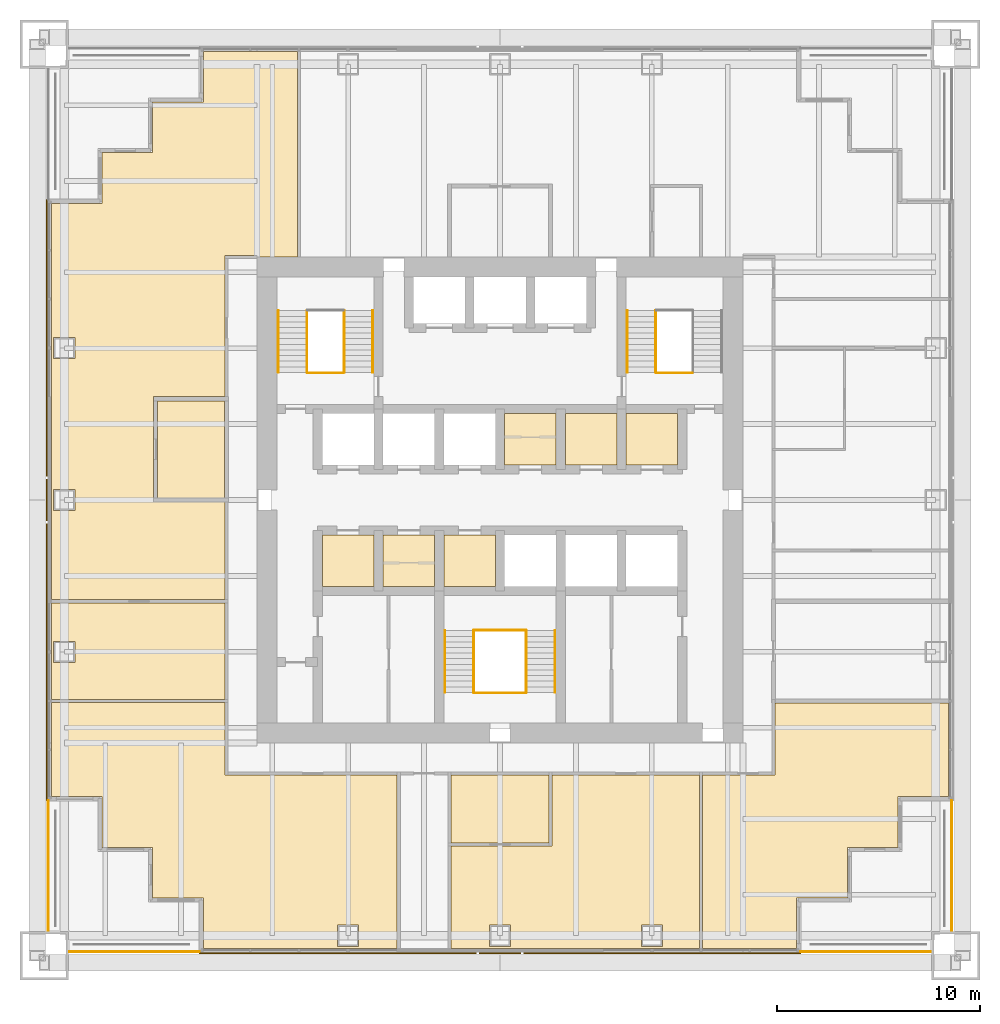
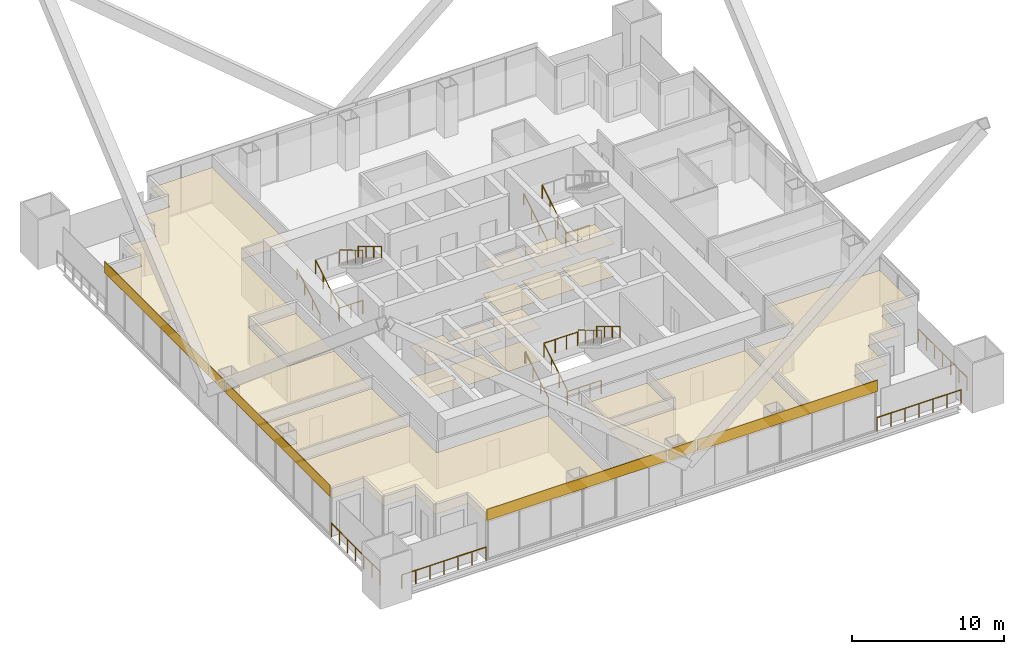
# One storey, part 18 of 19: 25 coverings, 18 railings.
"""IFC4 building model written with IfcOpenShell, lengths in metres."""

import ifcopenshell
import ifcopenshell.guid

model = None  # the IFC model being written
_history = None  # IfcOwnerHistory: only IFC2X3 demands one
_inside = {}  # id of a spatial element -> (the spatial element, [elements in it])
_under = {}  # id of a project, library or spatial element -> (it, [spatial elements below it])
_declared = {}  # id of a project -> (the project, [libraries it declares])
_typed = {}  # id of a type object -> (the type object, [elements of that type])
_made_of = {}  # id of a material, layer set ... -> (it, [elements and type objects made of it])


def new_model(schema):
    """Start an empty IFC model of exactly this schema.

    Asked for "IFC4X3", IfcOpenShell would pick the latest addendum, in which some entities
    have other attributes; the version numbers below select the first issue.
    IFC2X3 requires an IfcOwnerHistory on every rooted entity: one is made here for all.
    """
    global model, _history
    if schema == "IFC4X3":
        model = ifcopenshell.file(schema_version=(4, 3, 0, 0))
    else:
        model = ifcopenshell.file(schema=schema)
    _inside.clear()
    _under.clear()
    _declared.clear()
    _typed.clear()
    _made_of.clear()
    _history = None
    if model.schema == "IFC2X3":
        org = make("IfcOrganization", Name="unknown")
        user = make(
            "IfcPersonAndOrganization",
            ThePerson=make("IfcPerson", FamilyName="unknown"),
            TheOrganization=org,
        )
        app = make(
            "IfcApplication",
            ApplicationDeveloper=org,
            Version="unknown",
            ApplicationFullName="unknown",
            ApplicationIdentifier="unknown",
        )
        _history = make(
            "IfcOwnerHistory",
            OwningUser=user,
            OwningApplication=app,
            ChangeAction="ADDED",
            CreationDate=0,
        )
    return model


def make(cls, **values):
    """One entity of the class cls with the attributes given. An attribute that is None is left unset."""
    return model.create_entity(
        cls, **{name: value for name, value in values.items() if value is not None}
    )


def rooted(cls, **values):
    """An entity with a GlobalId (a new one), such as an element, a storey or a relation."""
    return make(cls, GlobalId=ifcopenshell.guid.new(), OwnerHistory=_history, **values)


def si_unit(unit_type, name, prefix=None):
    """IfcSIUnit, for example si_unit("LENGTHUNIT", "METRE", prefix="MILLI")."""
    return make("IfcSIUnit", UnitType=unit_type, Prefix=prefix, Name=name)


def assignment(units):
    """IfcUnitAssignment: the units of a project."""
    return None if units is None else make("IfcUnitAssignment", Units=units)


def point(xyz):
    """IfcCartesianPoint."""
    return None if xyz is None else make("IfcCartesianPoint", Coordinates=xyz)


def direction(xyz):
    """IfcDirection."""
    return None if xyz is None else make("IfcDirection", DirectionRatios=xyz)


def frame(location, z_axis=None, x_axis=None):
    """IfcAxis2Placement3D, a coordinate frame: its origin and axes. An axis left out is left unset."""
    return make(
        "IfcAxis2Placement3D",
        Location=point(location),
        Axis=direction(z_axis),
        RefDirection=direction(x_axis),
    )


def frame_2d(location, x_axis=None):
    """IfcAxis2Placement2D, a coordinate frame in the plane: its origin and x axis."""
    return make(
        "IfcAxis2Placement2D", Location=point(location), RefDirection=direction(x_axis)
    )


def origin():
    """The frame at (0, 0, 0) with its axes left unset."""
    return frame((0.0, 0.0, 0.0))


def origin_2d():
    """The frame at (0, 0) in the plane with its x axis left unset."""
    return frame_2d((0.0, 0.0))


def place(relative_to, where):
    """IfcLocalPlacement: puts the frame where relative to a parent placement (None: the world)."""
    return make(
        "IfcLocalPlacement", PlacementRelTo=relative_to, RelativePlacement=where
    )


def context(
    kind, dimensions, precision=None, world=None, true_north=None, identifier=None
):
    """IfcGeometricRepresentationContext, for example the 3D "Model" context."""
    return make(
        "IfcGeometricRepresentationContext",
        ContextIdentifier=identifier,
        ContextType=kind,
        CoordinateSpaceDimension=dimensions,
        Precision=precision,
        WorldCoordinateSystem=world,
        TrueNorth=true_north,
    )


def subcontext(parent, identifier, kind, view, scale=None):
    """IfcGeometricRepresentationSubContext, for example "Body" below "Model"."""
    return make(
        "IfcGeometricRepresentationSubContext",
        ContextIdentifier=identifier,
        ContextType=kind,
        ParentContext=parent,
        TargetScale=scale,
        TargetView=view,
    )


def project(units=None, contexts=None):
    """IfcProject with its units and contexts."""
    return rooted(
        "IfcProject",
        Name="project",
        RepresentationContexts=contexts,
        UnitsInContext=assignment(units),
    )


def spatial(cls, under=None, at=None, **own):
    """A site, building, storey or space (cls), placed at a placement, below another one or the project."""
    s = rooted(cls, ObjectPlacement=at, **own)
    if under is not None:
        _under.setdefault(under.id(), (under, []))[1].append(s)
    return s


def polyline(points):
    """IfcPolyline through the points."""
    return make("IfcPolyline", Points=[point(p) for p in points])


def profile(cls, at=None, kind="AREA", **sizes):
    """A parametric profile (cls). Its sizes go by their IFC names, for example OverallWidth=200.0."""
    return make(cls, ProfileType=kind, Position=at, **sizes)


def rectangle(**sizes):
    """IfcRectangleProfileDef."""
    return profile("IfcRectangleProfileDef", **sizes)


def circle(**sizes):
    """IfcCircleProfileDef."""
    return profile("IfcCircleProfileDef", **sizes)


def outline(outer, holes=None, kind="AREA"):
    """IfcArbitraryClosedProfileDef: a profile drawn as a closed curve; with holes, ...WithVoids."""
    if holes is None:
        return make("IfcArbitraryClosedProfileDef", ProfileType=kind, OuterCurve=outer)
    return make(
        "IfcArbitraryProfileDefWithVoids",
        ProfileType=kind,
        OuterCurve=outer,
        InnerCurves=holes,
    )


def extrude(swept, where, along, depth):
    """IfcExtrudedAreaSolid: the profile swept, set in the frame where, extruded along a direction by depth."""
    return make(
        "IfcExtrudedAreaSolid",
        SweptArea=swept,
        Position=where,
        ExtrudedDirection=direction(along),
        Depth=depth,
    )


def shape(context_of_items, identifier, shape_type, items):
    """IfcShapeRepresentation: the items that make up one representation, for example the "Body"."""
    return make(
        "IfcShapeRepresentation",
        ContextOfItems=context_of_items,
        RepresentationIdentifier=identifier,
        RepresentationType=shape_type,
        Items=items,
    )


def material(Name=None, Category=None):
    """IfcMaterial."""
    return make("IfcMaterial", Name=Name, Category=Category)


def layer(
    of_material, thickness, ventilated=None, Name=None, Category=None, Priority=None
):
    """IfcMaterialLayer: one layer of a wall or slab, of a material (None: an air gap)."""
    return make(
        "IfcMaterialLayer",
        Material=of_material,
        LayerThickness=thickness,
        IsVentilated=ventilated,
        Name=Name,
        Category=Category,
        Priority=Priority,
    )


def layer_set(layers, Name=None):
    """IfcMaterialLayerSet."""
    return make("IfcMaterialLayerSet", MaterialLayers=layers, LayerSetName=Name)


def made_of(thing, what):
    """Note that an element or type object is made of a material, layer set ...; save() writes the relation."""
    if what is not None:
        _made_of.setdefault(what.id(), (what, []))[1].append(thing)
    return thing


def type_object(cls, material=None, **own):
    """A type object (cls), such as IfcWallType, which elements share."""
    return made_of(rooted(cls, **own), material)


def element(
    cls,
    number,
    at=None,
    inside=None,
    cuts=None,
    type_object=None,
    material=None,
    context=None,
    identifier="Body",
    shape_type=None,
    held_by="IfcProductDefinitionShape",
    body=None,
    shapes=None,
    **own,
):
    """One element of the class cls, such as IfcWall. Its Tag is "e" and its number.

    at: its placement. inside: the storey or other place that contains it. cuts: it is an
    opening in that element (IfcRelVoidsElement). A single representation is given by context,
    identifier, shape_type and body (its items); several are given by shapes. held_by: the class
    of the entity that holds the representations. save() writes the other relations.
    """
    e = rooted(cls, Tag="e%d" % number, ObjectPlacement=at, **own)
    if body is not None:
        shapes = [shape(context, identifier, shape_type, body)]
    if shapes is not None:
        e.Representation = make(held_by, Representations=shapes)
    if inside is not None:
        _inside.setdefault(inside.id(), (inside, []))[1].append(e)
    if cuts is not None:
        rooted(
            "IfcRelVoidsElement", RelatingBuildingElement=cuts, RelatedOpeningElement=e
        )
    if type_object is not None:
        _typed.setdefault(type_object.id(), (type_object, []))[1].append(e)
    return made_of(e, material)


def aggregate(whole, parts):
    """IfcRelAggregates: a whole, such as a stair, and the parts it consists of."""
    return rooted("IfcRelAggregates", RelatingObject=whole, RelatedObjects=parts)


def save(model, path):
    """Write the relations noted so far, then the file.

    IfcRelAggregates (storeys below a building ...), IfcRelContainedInSpatialStructure (elements
    in a storey), IfcRelDefinesByType, IfcRelAssociatesMaterial and IfcRelDeclares: one each for
    every whole, place, type object, material and project.
    """
    for whole, parts in _under.values():
        aggregate(whole, parts)
    for where, things in _inside.values():
        rooted(
            "IfcRelContainedInSpatialStructure",
            RelatedElements=things,
            RelatingStructure=where,
        )
    for kind, things in _typed.values():
        rooted("IfcRelDefinesByType", RelatedObjects=things, RelatingType=kind)
    for what, things in _made_of.values():
        rooted("IfcRelAssociatesMaterial", RelatedObjects=things, RelatingMaterial=what)
    for by, libraries in _declared.values():
        rooted("IfcRelDeclares", RelatingContext=by, RelatedDefinitions=libraries)
    model.write(path)


model = new_model("IFC4")

# Units and contexts
model_context = context("Model", 3, precision=1e-05, world=origin(), true_north=direction((0.0, 1.0)))
body_context = subcontext(model_context, "Body", "Model", "MODEL_VIEW")
ifc_project = project(units=[si_unit("LENGTHUNIT", "METRE"), si_unit("AREAUNIT", "SQUARE_METRE"), si_unit("VOLUMEUNIT", "CUBIC_METRE"), si_unit("PLANEANGLEUNIT", "RADIAN"), si_unit("MASSUNIT", "GRAM", prefix="KILO")], contexts=[model_context])

# Site, building, storey
site_placement = place(None, origin())
site = spatial("IfcSite", under=ifc_project, at=site_placement, CompositionType="ELEMENT")
building_placement = place(site_placement, origin())
building = spatial("IfcBuilding", under=site, at=building_placement, Name="Tarangal Relay Tower", CompositionType="ELEMENT")
storey_placement = place(building_placement, frame((0.0, 0.0, 193.89990234375)))
storey = spatial("IfcBuildingStorey", under=building, at=storey_placement, Name="L40", CompositionType="ELEMENT", Elevation=193.89990234375)

# Coverings
ifc_material_1 = material(Name="Anti-static vinyl flooring", Category="plastic")
ifc_layer_1 = layer(ifc_material_1, 0.010009765625)
ifc_layer_set_1 = layer_set([ifc_layer_1], Name="Anti-static vinyl floor")
covering_type_1 = type_object("IfcCoveringType", Name="Anti-static vinyl floor", PredefinedType="FLOORING", material=ifc_layer_set_1)
covering_1_placement = place(storey_placement, origin())
element("IfcCovering", 1, at=covering_1_placement, inside=storey, type_object=covering_type_1, Name="Floor finish FL1 L40-T1", PredefinedType="FLOORING", context=body_context, shape_type="SweptSolid", body=[
    extrude(outline(polyline([(0.22509765625, 1.72509765625), (2.77490234375, 1.72509765625), (2.77490234375, 4.27490234375), (0.22509765625, 4.27490234375), (0.22509765625, 1.72509765625)])), origin(), (0.0, 0.0, 1.0), 0.010009765625),
])
covering_2_placement = place(storey_placement, origin())
element("IfcCovering", 2, at=covering_2_placement, inside=storey, type_object=covering_type_1, Name="Floor finish FL1 L40-T2", PredefinedType="FLOORING", context=body_context, shape_type="SweptSolid", body=[
    extrude(outline(polyline([(3.22509765625, 1.72509765625), (5.77490234375, 1.72509765625), (5.77490234375, 4.27490234375), (3.22509765625, 4.27490234375), (3.22509765625, 1.72509765625)])), origin(), (0.0, 0.0, 1.0), 0.010009765625),
])
covering_3_placement = place(storey_placement, origin())
element("IfcCovering", 3, at=covering_3_placement, inside=storey, type_object=covering_type_1, Name="Floor finish FL1 L40-T3", PredefinedType="FLOORING", context=body_context, shape_type="SweptSolid", body=[
    extrude(outline(polyline([(6.22509765625, 1.72509765625), (8.77490234375, 1.72509765625), (8.77490234375, 4.27490234375), (6.22509765625, 4.27490234375), (6.22509765625, 1.72509765625)])), origin(), (0.0, 0.0, 1.0), 0.010009765625),
])
covering_4_placement = place(storey_placement, origin())
element("IfcCovering", 4, at=covering_4_placement, inside=storey, type_object=covering_type_1, Name="Floor finish FL1 L40-S1", PredefinedType="FLOORING", context=body_context, shape_type="SweptSolid", body=[
    extrude(outline(polyline([(-8.77490234375, -4.27490234375), (-6.22509765625, -4.27490234375), (-6.22509765625, -1.72509765625), (-8.77490234375, -1.72509765625), (-8.77490234375, -4.27490234375)])), origin(), (0.0, 0.0, 1.0), 0.010009765625),
])
covering_5_placement = place(storey_placement, origin())
element("IfcCovering", 5, at=covering_5_placement, inside=storey, type_object=covering_type_1, Name="Floor finish FL1 L40-S2", PredefinedType="FLOORING", context=body_context, shape_type="SweptSolid", body=[
    extrude(outline(polyline([(-5.77490234375, -4.27490234375), (-3.22509765625, -4.27490234375), (-3.22509765625, -1.72509765625), (-5.77490234375, -1.72509765625), (-5.77490234375, -4.27490234375)])), origin(), (0.0, 0.0, 1.0), 0.010009765625),
])
covering_6_placement = place(storey_placement, origin())
element("IfcCovering", 6, at=covering_6_placement, inside=storey, type_object=covering_type_1, Name="Floor finish FL1 L40-S3", PredefinedType="FLOORING", context=body_context, shape_type="SweptSolid", body=[
    extrude(outline(polyline([(-2.77490234375, -4.27490234375), (-0.22509765625, -4.27490234375), (-0.22509765625, -1.72509765625), (-2.77490234375, -1.72509765625), (-2.77490234375, -4.27490234375)])), origin(), (0.0, 0.0, 1.0), 0.010009765625),
])
ifc_material_2 = material(Name="Black anodised aluminium cladding", Category="aluminium")
ifc_layer_2 = layer(ifc_material_2, 0.050048828125)
ifc_layer_set_2 = layer_set([ifc_layer_2], Name="Black metal spandrel band")
covering_type_2 = type_object("IfcCoveringType", Name="Black metal spandrel band", PredefinedType="CLADDING", material=ifc_layer_set_2)
covering_7_placement = place(storey_placement, frame((8.0078125, -22.375, 3.250244140625), z_axis=(0.0, 0.0, 1.0), x_axis=(-1.0, 0.0, 0.0)))
element("IfcCovering", 7, at=covering_7_placement, inside=storey, type_object=covering_type_2, Name="Spandrel band SB1 S L40", PredefinedType="CLADDING", context=body_context, shape_type="SweptSolid", body=[
    extrude(rectangle(XDim=13.6845703125, YDim=0.050048828125, at=origin_2d()), origin(), (0.0, 0.0, 1.0), 0.89990234375),
])
covering_8_placement = place(storey_placement, frame((0.0, -22.375, 3.250244140625), z_axis=(0.0, 0.0, 1.0), x_axis=(-1.0, 0.0, 0.0)))
element("IfcCovering", 8, at=covering_8_placement, inside=storey, type_object=covering_type_2, Name="Spandrel band SB1 S L40", PredefinedType="CLADDING", context=body_context, shape_type="SweptSolid", body=[
    extrude(rectangle(XDim=2.05078125, YDim=0.050048828125, at=origin_2d()), origin(), (0.0, 0.0, 1.0), 0.89990234375),
])
for number, where, z_axis, x_axis, name in (
    (9, (-8.0078125, -22.375, 3.250244140625), (0.0, 0.0, 1.0), (-1.0, 0.0, 0.0), "Spandrel band SB1 S L40"),
    (10, (-22.375, -8.0078125, 3.250244140625), (0.0, 0.0, 1.0), (0.0, 1.0, 0.0), "Spandrel band SB1 W L40"),
):
    element("IfcCovering", number, at=place(storey_placement, frame(where, z_axis=z_axis, x_axis=x_axis)), inside=storey, type_object=covering_type_2, Name=name, PredefinedType="CLADDING", context=body_context, shape_type="SweptSolid", body=[
        extrude(rectangle(XDim=13.6845703125, YDim=0.050048828125, at=origin_2d()), origin(), (0.0, 0.0, 1.0), 0.89990234375),
    ])
covering_9_placement = place(storey_placement, frame((-22.375, 0.0, 3.250244140625), z_axis=(0.0, 0.0, 1.0), x_axis=(0.0, 1.0, 0.0)))
element("IfcCovering", 11, at=covering_9_placement, inside=storey, type_object=covering_type_2, Name="Spandrel band SB1 W L40", PredefinedType="CLADDING", context=body_context, shape_type="SweptSolid", body=[
    extrude(rectangle(XDim=2.05078125, YDim=0.050048828125, at=origin_2d()), origin(), (0.0, 0.0, 1.0), 0.89990234375),
])
covering_10_placement = place(storey_placement, frame((-22.375, 8.0078125, 3.250244140625), z_axis=(0.0, 0.0, 1.0), x_axis=(0.0, 1.0, 0.0)))
element("IfcCovering", 12, at=covering_10_placement, inside=storey, type_object=covering_type_2, Name="Spandrel band SB1 W L40", PredefinedType="CLADDING", context=body_context, shape_type="SweptSolid", body=[
    extrude(rectangle(XDim=13.6845703125, YDim=0.050048828125, at=origin_2d()), origin(), (0.0, 0.0, 1.0), 0.89990234375),
])

# Railings
ifc_material_3 = material(Name="Steel guard, black finish", Category="steel")
railing_type_1 = type_object("IfcRailingType", Name="Stair guard 1100", PredefinedType="GUARDRAIL", material=ifc_material_3)
railing_1_placement = place(storey_placement, frame((-9.530029296875, 6.300048828125, 0.166748046875)))
element("IfcRailing", 13, at=railing_1_placement, inside=storey, type_object=railing_type_1, Name="Stair ST-A guard GR1 L40 flight 1", PredefinedType="GUARDRAIL", context=body_context, shape_type="SweptSolid", body=[
    extrude(circle(Radius=0.02392578125, at=origin_2d()), frame((0.0, 0.0, 1.076171875), z_axis=(0.0, 0.85685617095, 0.515555527858), x_axis=(-1.0, 0.0, 0.0)), (0.0, 0.0, 1.0), 3.555908203125),
    extrude(circle(Radius=0.02099609375, at=origin_2d()), origin(), (0.0, 0.0, 1.0), 1.052001953125),
    extrude(circle(Radius=0.02099609375, at=origin_2d()), frame((0.0, 1.015625, 0.611083984375)), (0.0, 0.0, 1.0), 1.052001953125),
    extrude(circle(Radius=0.02099609375, at=origin_2d()), frame((0.0, 2.03125, 1.22216796875)), (0.0, 0.0, 1.0), 1.052001953125),
    extrude(circle(Radius=0.02099609375, at=origin_2d()), frame((0.0, 3.046875, 1.833251953125)), (0.0, 0.0, 1.0), 1.052001953125),
])
railing_2_placement = place(storey_placement, frame((-7.695068359375, 9.346923828125, 2.166748046875)))
element("IfcRailing", 14, at=railing_2_placement, inside=storey, type_object=railing_type_1, Name="Stair ST-A guard GR1 L40 flight 2", PredefinedType="GUARDRAIL", context=body_context, shape_type="SweptSolid", body=[
    extrude(circle(Radius=0.02392578125, at=origin_2d()), frame((0.0, 0.0, 1.076171875), z_axis=(0.0, -0.85685617095, 0.515555527858), x_axis=(1.0, 0.0, 0.0)), (0.0, 0.0, 1.0), 3.555908203125),
    extrude(circle(Radius=0.02099609375, at=origin_2d()), origin(), (0.0, 0.0, 1.0), 1.052001953125),
    extrude(circle(Radius=0.02099609375, at=origin_2d()), frame((0.0, -1.015625, 0.611083984375)), (0.0, 0.0, 1.0), 1.052001953125),
    extrude(circle(Radius=0.02099609375, at=origin_2d()), frame((0.0, -2.03125, 1.22216796875)), (0.0, 0.0, 1.0), 1.052001953125),
    extrude(circle(Radius=0.02099609375, at=origin_2d()), frame((0.0, -3.046875, 1.833251953125)), (0.0, 0.0, 1.0), 1.052001953125),
])
railing_3_placement = place(storey_placement, frame((-9.5, 6.27001953125, 0.0)))
element("IfcRailing", 15, at=railing_3_placement, inside=storey, type_object=railing_type_1, Name="Stair ST-A landing guard GR1 L40", PredefinedType="GUARDRAIL", context=body_context, shape_type="SweptSolid", body=[
    extrude(circle(Radius=0.02392578125, at=origin_2d()), frame((0.0, 0.0, 1.076171875), z_axis=(1.0, 0.0, 0.0), x_axis=(0.0, 1.0, 0.0)), (0.0, 0.0, 1.0), 1.77490234375),
    extrude(circle(Radius=0.02099609375, at=origin_2d()), origin(), (0.0, 0.0, 1.0), 1.052001953125),
    extrude(circle(Radius=0.02099609375, at=origin_2d()), frame((0.887451171875, 0.0, 0.0)), (0.0, 0.0, 1.0), 1.052001953125),
    extrude(circle(Radius=0.02099609375, at=origin_2d()), frame((1.77490234375, 0.0, 0.0)), (0.0, 0.0, 1.0), 1.052001953125),
])
railing_4_placement = place(storey_placement, frame((7.695068359375, 6.300048828125, 0.166748046875)))
element("IfcRailing", 16, at=railing_4_placement, inside=storey, type_object=railing_type_1, Name="Stair ST-B guard GR1 L40 flight 1", PredefinedType="GUARDRAIL", context=body_context, shape_type="SweptSolid", body=[
    extrude(circle(Radius=0.02392578125, at=origin_2d()), frame((0.0, 0.0, 1.076171875), z_axis=(0.0, 0.85685617095, 0.515555527858), x_axis=(-1.0, 0.0, 0.0)), (0.0, 0.0, 1.0), 3.555908203125),
    extrude(circle(Radius=0.02099609375, at=origin_2d()), origin(), (0.0, 0.0, 1.0), 1.052001953125),
    extrude(circle(Radius=0.02099609375, at=origin_2d()), frame((0.0, 1.015625, 0.611083984375)), (0.0, 0.0, 1.0), 1.052001953125),
    extrude(circle(Radius=0.02099609375, at=origin_2d()), frame((0.0, 2.03125, 1.22216796875)), (0.0, 0.0, 1.0), 1.052001953125),
    extrude(circle(Radius=0.02099609375, at=origin_2d()), frame((0.0, 3.046875, 1.833251953125)), (0.0, 0.0, 1.0), 1.052001953125),
])
railing_5_placement = place(storey_placement, frame((7.72509765625, 6.27001953125, 0.0)))
element("IfcRailing", 17, at=railing_5_placement, inside=storey, type_object=railing_type_1, Name="Stair ST-B landing guard GR1 L40", PredefinedType="GUARDRAIL", context=body_context, shape_type="SweptSolid", body=[
    extrude(circle(Radius=0.02392578125, at=origin_2d()), frame((0.0, 0.0, 1.076171875), z_axis=(1.0, 0.0, 0.0), x_axis=(0.0, 1.0, 0.0)), (0.0, 0.0, 1.0), 1.77490234375),
    extrude(circle(Radius=0.02099609375, at=origin_2d()), origin(), (0.0, 0.0, 1.0), 1.052001953125),
    extrude(circle(Radius=0.02099609375, at=origin_2d()), frame((0.887451171875, 0.0, 0.0)), (0.0, 0.0, 1.0), 1.052001953125),
    extrude(circle(Radius=0.02099609375, at=origin_2d()), frame((1.77490234375, 0.0, 0.0)), (0.0, 0.0, 1.0), 1.052001953125),
])
railing_6_placement = place(storey_placement, frame((-1.304931640625, -9.5, 0.166748046875)))
element("IfcRailing", 18, at=railing_6_placement, inside=storey, type_object=railing_type_1, Name="Stair ST-C guard GR1 L40 flight 1", PredefinedType="GUARDRAIL", context=body_context, shape_type="SweptSolid", body=[
    extrude(circle(Radius=0.02392578125, at=origin_2d()), frame((0.0, 0.0, 1.076171875), z_axis=(0.0, 0.856874418557, 0.515525199018), x_axis=(-1.0, 0.0, 0.0)), (0.0, 0.0, 1.0), 3.55615234375),
    extrude(circle(Radius=0.02099609375, at=origin_2d()), origin(), (0.0, 0.0, 1.0), 1.052001953125),
    extrude(circle(Radius=0.02099609375, at=origin_2d()), frame((0.0, 1.015625, 0.611083984375)), (0.0, 0.0, 1.0), 1.052001953125),
    extrude(circle(Radius=0.02099609375, at=origin_2d()), frame((0.0, 2.031494140625, 1.22216796875)), (0.0, 0.0, 1.0), 1.052001953125),
    extrude(circle(Radius=0.02099609375, at=origin_2d()), frame((0.0, 3.047119140625, 1.833251953125)), (0.0, 0.0, 1.0), 1.052001953125),
])
railing_7_placement = place(storey_placement, frame((1.304931640625, -6.452880859375, 2.166748046875)))
element("IfcRailing", 19, at=railing_7_placement, inside=storey, type_object=railing_type_1, Name="Stair ST-C guard GR1 L40 flight 2", PredefinedType="GUARDRAIL", context=body_context, shape_type="SweptSolid", body=[
    extrude(circle(Radius=0.02392578125, at=origin_2d()), frame((0.0, 0.0, 1.076171875), z_axis=(0.0, -0.856874418557, 0.515525199018), x_axis=(1.0, 0.0, 0.0)), (0.0, 0.0, 1.0), 3.55615234375),
    extrude(circle(Radius=0.02099609375, at=origin_2d()), origin(), (0.0, 0.0, 1.0), 1.052001953125),
    extrude(circle(Radius=0.02099609375, at=origin_2d()), frame((0.0, -1.015625, 0.611083984375)), (0.0, 0.0, 1.0), 1.052001953125),
    extrude(circle(Radius=0.02099609375, at=origin_2d()), frame((0.0, -2.031494140625, 1.22216796875)), (0.0, 0.0, 1.0), 1.052001953125),
    extrude(circle(Radius=0.02099609375, at=origin_2d()), frame((0.0, -3.047119140625, 1.833251953125)), (0.0, 0.0, 1.0), 1.052001953125),
])
for number, where, name in (
    (20, (-1.27490234375, -9.530029296875, 0.0), "Stair ST-C landing guard GR1 L40"),
    (21, (-1.27490234375, -6.423095703125, 2.0), "Stair ST-C landing guard GR1 L40"),
):
    element("IfcRailing", number, at=place(storey_placement, frame(where)), inside=storey, type_object=railing_type_1, Name=name, PredefinedType="GUARDRAIL", context=body_context, shape_type="SweptSolid", body=[
        extrude(circle(Radius=0.02392578125, at=origin_2d()), frame((0.0, 0.0, 1.076171875), z_axis=(1.0, 0.0, 0.0), x_axis=(0.0, 1.0, 0.0)), (0.0, 0.0, 1.0), 2.5498046875),
        extrude(circle(Radius=0.02099609375, at=origin_2d()), origin(), (0.0, 0.0, 1.0), 1.052001953125),
        extrude(circle(Radius=0.02099609375, at=origin_2d()), frame((0.849853515625, 0.0, 0.0)), (0.0, 0.0, 1.0), 1.052001953125),
        extrude(circle(Radius=0.02099609375, at=origin_2d()), frame((1.699951171875, 0.0, 0.0)), (0.0, 0.0, 1.0), 1.052001953125),
        extrude(circle(Radius=0.02099609375, at=origin_2d()), frame((2.5498046875, 0.0, 0.0)), (0.0, 0.0, 1.0), 1.052001953125),
    ])
ifc_material_4 = material(Name="Steel handrail, black finish", Category="steel")
railing_type_2 = type_object("IfcRailingType", Name="Stair handrail 900", PredefinedType="HANDRAIL", material=ifc_material_4)
railing_8_placement = place(storey_placement, frame((-10.93994140625, 6.300048828125, 0.166748046875)))
element("IfcRailing", 22, at=railing_8_placement, inside=storey, type_object=railing_type_2, Name="Stair ST-A handrail HR1 L40 flight 1", PredefinedType="HANDRAIL", context=body_context, shape_type="SweptSolid", body=[
    extrude(circle(Radius=0.02392578125, at=origin_2d()), frame((0.0, 0.0, 0.8759765625), z_axis=(0.0, 0.85685617095, 0.515555527858), x_axis=(-1.0, 0.0, 0.0)), (0.0, 0.0, 1.0), 3.555908203125),
    extrude(circle(Radius=0.02099609375, at=origin_2d()), origin(), (0.0, 0.0, 1.0), 0.851806640625),
    extrude(circle(Radius=0.02099609375, at=origin_2d()), frame((0.0, 1.015625, 0.611083984375)), (0.0, 0.0, 1.0), 0.851806640625),
    extrude(circle(Radius=0.02099609375, at=origin_2d()), frame((0.0, 2.03125, 1.22216796875)), (0.0, 0.0, 1.0), 0.851806640625),
    extrude(circle(Radius=0.02099609375, at=origin_2d()), frame((0.0, 3.046875, 1.833251953125)), (0.0, 0.0, 1.0), 0.851806640625),
])
railing_9_placement = place(storey_placement, frame((-6.284912109375, 9.346923828125, 2.166748046875)))
element("IfcRailing", 23, at=railing_9_placement, inside=storey, type_object=railing_type_2, Name="Stair ST-A handrail HR1 L40 flight 2", PredefinedType="HANDRAIL", context=body_context, shape_type="SweptSolid", body=[
    extrude(circle(Radius=0.02392578125, at=origin_2d()), frame((0.0, 0.0, 0.8759765625), z_axis=(0.0, -0.85685617095, 0.515555527858), x_axis=(1.0, 0.0, 0.0)), (0.0, 0.0, 1.0), 3.555908203125),
    extrude(circle(Radius=0.02099609375, at=origin_2d()), origin(), (0.0, 0.0, 1.0), 0.851806640625),
    extrude(circle(Radius=0.02099609375, at=origin_2d()), frame((0.0, -1.015625, 0.611083984375)), (0.0, 0.0, 1.0), 0.851806640625),
    extrude(circle(Radius=0.02099609375, at=origin_2d()), frame((0.0, -2.03125, 1.22216796875)), (0.0, 0.0, 1.0), 0.851806640625),
    extrude(circle(Radius=0.02099609375, at=origin_2d()), frame((0.0, -3.046875, 1.833251953125)), (0.0, 0.0, 1.0), 0.851806640625),
])
railing_10_placement = place(storey_placement, frame((6.284912109375, 6.300048828125, 0.166748046875)))
element("IfcRailing", 24, at=railing_10_placement, inside=storey, type_object=railing_type_2, Name="Stair ST-B handrail HR1 L40 flight 1", PredefinedType="HANDRAIL", context=body_context, shape_type="SweptSolid", body=[
    extrude(circle(Radius=0.02392578125, at=origin_2d()), frame((0.0, 0.0, 0.8759765625), z_axis=(0.0, 0.85685617095, 0.515555527858), x_axis=(-1.0, 0.0, 0.0)), (0.0, 0.0, 1.0), 3.555908203125),
    extrude(circle(Radius=0.02099609375, at=origin_2d()), origin(), (0.0, 0.0, 1.0), 0.851806640625),
    extrude(circle(Radius=0.02099609375, at=origin_2d()), frame((0.0, 1.015625, 0.611083984375)), (0.0, 0.0, 1.0), 0.851806640625),
    extrude(circle(Radius=0.02099609375, at=origin_2d()), frame((0.0, 2.03125, 1.22216796875)), (0.0, 0.0, 1.0), 0.851806640625),
    extrude(circle(Radius=0.02099609375, at=origin_2d()), frame((0.0, 3.046875, 1.833251953125)), (0.0, 0.0, 1.0), 0.851806640625),
])
railing_11_placement = place(storey_placement, frame((-2.715087890625, -9.5, 0.166748046875)))
element("IfcRailing", 25, at=railing_11_placement, inside=storey, type_object=railing_type_2, Name="Stair ST-C handrail HR1 L40 flight 1", PredefinedType="HANDRAIL", context=body_context, shape_type="SweptSolid", body=[
    extrude(circle(Radius=0.02392578125, at=origin_2d()), frame((0.0, 0.0, 0.8759765625), z_axis=(0.0, 0.856874418557, 0.515525199018), x_axis=(-1.0, 0.0, 0.0)), (0.0, 0.0, 1.0), 3.55615234375),
    extrude(circle(Radius=0.02099609375, at=origin_2d()), origin(), (0.0, 0.0, 1.0), 0.851806640625),
    extrude(circle(Radius=0.02099609375, at=origin_2d()), frame((0.0, 1.015625, 0.611083984375)), (0.0, 0.0, 1.0), 0.851806640625),
    extrude(circle(Radius=0.02099609375, at=origin_2d()), frame((0.0, 2.031494140625, 1.22216796875)), (0.0, 0.0, 1.0), 0.851806640625),
    extrude(circle(Radius=0.02099609375, at=origin_2d()), frame((0.0, 3.047119140625, 1.833251953125)), (0.0, 0.0, 1.0), 0.851806640625),
])
railing_12_placement = place(storey_placement, frame((2.715087890625, -6.452880859375, 2.166748046875)))
element("IfcRailing", 26, at=railing_12_placement, inside=storey, type_object=railing_type_2, Name="Stair ST-C handrail HR1 L40 flight 2", PredefinedType="HANDRAIL", context=body_context, shape_type="SweptSolid", body=[
    extrude(circle(Radius=0.02392578125, at=origin_2d()), frame((0.0, 0.0, 0.8759765625), z_axis=(0.0, -0.856874418557, 0.515525199018), x_axis=(1.0, 0.0, 0.0)), (0.0, 0.0, 1.0), 3.55615234375),
    extrude(circle(Radius=0.02099609375, at=origin_2d()), origin(), (0.0, 0.0, 1.0), 0.851806640625),
    extrude(circle(Radius=0.02099609375, at=origin_2d()), frame((0.0, -1.015625, 0.611083984375)), (0.0, 0.0, 1.0), 0.851806640625),
    extrude(circle(Radius=0.02099609375, at=origin_2d()), frame((0.0, -2.031494140625, 1.22216796875)), (0.0, 0.0, 1.0), 0.851806640625),
    extrude(circle(Radius=0.02099609375, at=origin_2d()), frame((0.0, -3.047119140625, 1.833251953125)), (0.0, 0.0, 1.0), 0.851806640625),
])

# Coverings
ifc_material_5 = material(Name="Mineral fibre ceiling tiles", Category="gypsum")
ifc_layer_3 = layer(ifc_material_5, 0.02001953125)
ifc_layer_set_3 = layer_set([ifc_layer_3], Name="Suspended ceiling")
covering_type_3 = type_object("IfcCoveringType", Name="Suspended ceiling", PredefinedType="CEILING", material=ifc_layer_set_3)
covering_11_placement = place(storey_placement, frame((0.0, 0.0, 2.60009765625)))
element("IfcCovering", 27, at=covering_11_placement, inside=storey, type_object=covering_type_3, Name="Suspended ceiling CL1 L40-T1", PredefinedType="CEILING", context=body_context, shape_type="SweptSolid", body=[
    extrude(outline(polyline([(0.22509765625, 1.72509765625), (2.77490234375, 1.72509765625), (2.77490234375, 4.27490234375), (0.22509765625, 4.27490234375), (0.22509765625, 1.72509765625)])), origin(), (0.0, 0.0, 1.0), 0.02001953125),
])
covering_12_placement = place(storey_placement, frame((0.0, 0.0, 2.60009765625)))
element("IfcCovering", 28, at=covering_12_placement, inside=storey, type_object=covering_type_3, Name="Suspended ceiling CL1 L40-T2", PredefinedType="CEILING", context=body_context, shape_type="SweptSolid", body=[
    extrude(outline(polyline([(3.22509765625, 1.72509765625), (5.77490234375, 1.72509765625), (5.77490234375, 4.27490234375), (3.22509765625, 4.27490234375), (3.22509765625, 1.72509765625)])), origin(), (0.0, 0.0, 1.0), 0.02001953125),
])
covering_13_placement = place(storey_placement, frame((0.0, 0.0, 2.60009765625)))
element("IfcCovering", 29, at=covering_13_placement, inside=storey, type_object=covering_type_3, Name="Suspended ceiling CL1 L40-T3", PredefinedType="CEILING", context=body_context, shape_type="SweptSolid", body=[
    extrude(outline(polyline([(6.22509765625, 1.72509765625), (8.77490234375, 1.72509765625), (8.77490234375, 4.27490234375), (6.22509765625, 4.27490234375), (6.22509765625, 1.72509765625)])), origin(), (0.0, 0.0, 1.0), 0.02001953125),
])
covering_14_placement = place(storey_placement, frame((0.0, 0.0, 2.60009765625)))
element("IfcCovering", 30, at=covering_14_placement, inside=storey, type_object=covering_type_3, Name="Suspended ceiling CL1 L40-S1", PredefinedType="CEILING", context=body_context, shape_type="SweptSolid", body=[
    extrude(outline(polyline([(-8.77490234375, -4.27490234375), (-6.22509765625, -4.27490234375), (-6.22509765625, -1.72509765625), (-8.77490234375, -1.72509765625), (-8.77490234375, -4.27490234375)])), origin(), (0.0, 0.0, 1.0), 0.02001953125),
])
covering_15_placement = place(storey_placement, frame((0.0, 0.0, 2.60009765625)))
element("IfcCovering", 31, at=covering_15_placement, inside=storey, type_object=covering_type_3, Name="Suspended ceiling CL1 L40-S2", PredefinedType="CEILING", context=body_context, shape_type="SweptSolid", body=[
    extrude(outline(polyline([(-5.77490234375, -4.27490234375), (-3.22509765625, -4.27490234375), (-3.22509765625, -1.72509765625), (-5.77490234375, -1.72509765625), (-5.77490234375, -4.27490234375)])), origin(), (0.0, 0.0, 1.0), 0.02001953125),
])
covering_16_placement = place(storey_placement, frame((0.0, 0.0, 2.60009765625)))
element("IfcCovering", 32, at=covering_16_placement, inside=storey, type_object=covering_type_3, Name="Suspended ceiling CL1 L40-S3", PredefinedType="CEILING", context=body_context, shape_type="SweptSolid", body=[
    extrude(outline(polyline([(-2.77490234375, -4.27490234375), (-0.22509765625, -4.27490234375), (-0.22509765625, -1.72509765625), (-2.77490234375, -1.72509765625), (-2.77490234375, -4.27490234375)])), origin(), (0.0, 0.0, 1.0), 0.02001953125),
])
covering_17_placement = place(storey_placement, frame((0.0, 0.0, 2.900146484375)))
element("IfcCovering", 33, at=covering_17_placement, inside=storey, type_object=covering_type_3, Name="Suspended ceiling CL1 L40-09", PredefinedType="CEILING", context=body_context, shape_type="SweptSolid", body=[
    extrude(outline(polyline([(-2.425048828125, -22.14990234375), (9.842041015625, -22.14990234375), (9.842041015625, -13.574951171875), (2.574951171875, -13.574951171875), (2.574951171875, -17.074951171875), (-2.425048828125, -17.074951171875), (-2.425048828125, -22.14990234375)]), holes=[polyline([(0.52490234375, -22.0400390625), (0.52490234375, -20.989990234375), (-0.52490234375, -20.989990234375), (-0.52490234375, -22.0400390625), (0.52490234375, -22.0400390625)]), polyline([(8.02490234375, -22.0400390625), (8.02490234375, -20.989990234375), (6.97509765625, -20.989990234375), (6.97509765625, -22.0400390625), (8.02490234375, -22.0400390625)])]), origin(), (0.0, 0.0, 1.0), 0.02001953125),
])
covering_18_placement = place(storey_placement, frame((0.0, 0.0, 2.900146484375)))
element("IfcCovering", 34, at=covering_18_placement, inside=storey, type_object=covering_type_3, Name="Suspended ceiling CL1 L40-10", PredefinedType="CEILING", context=body_context, shape_type="SweptSolid", body=[
    extrude(outline(polyline([(-2.425048828125, -13.574951171875), (-2.425048828125, -16.925048828125), (2.425048828125, -16.925048828125), (2.425048828125, -13.574951171875), (-2.425048828125, -13.574951171875)])), origin(), (0.0, 0.0, 1.0), 0.02001953125),
])
covering_19_placement = place(storey_placement, frame((0.0, 0.0, 2.900146484375)))
element("IfcCovering", 35, at=covering_19_placement, inside=storey, type_object=covering_type_3, Name="Suspended ceiling CL1 L40-12", PredefinedType="CEILING", context=body_context, shape_type="SweptSolid", body=[
    extrude(outline(polyline([(-22.14990234375, -5.074951171875), (-22.14990234375, -9.842041015625), (-13.574951171875, -9.842041015625), (-13.574951171875, -5.074951171875), (-22.14990234375, -5.074951171875)]), holes=[polyline([(-20.989990234375, -6.97509765625), (-22.0400390625, -6.97509765625), (-22.0400390625, -8.02490234375), (-20.989990234375, -8.02490234375), (-20.989990234375, -6.97509765625)])]), origin(), (0.0, 0.0, 1.0), 0.02001953125),
])
covering_20_placement = place(storey_placement, frame((0.0, 0.0, 2.900146484375)))
element("IfcCovering", 36, at=covering_20_placement, inside=storey, type_object=covering_type_3, Name="Suspended ceiling CL1 L40-13", PredefinedType="CEILING", context=body_context, shape_type="SweptSolid", body=[
    extrude(outline(polyline([(-13.60009765625, 4.89990234375), (-16.89990234375, 4.89990234375), (-16.89990234375, 0.10009765625), (-13.60009765625, 0.10009765625), (-13.60009765625, 4.89990234375)])), origin(), (0.0, 0.0, 1.0), 0.02001953125),
])
covering_21_placement = place(storey_placement, frame((0.0, 0.0, 2.900146484375)))
element("IfcCovering", 37, at=covering_21_placement, inside=storey, type_object=covering_type_3, Name="Suspended ceiling CL1 L40-15", PredefinedType="CEILING", context=body_context, shape_type="SweptSolid", body=[
    extrude(outline(polyline([(-17.14990234375, -19.64990234375), (-14.64990234375, -19.64990234375), (-14.64990234375, -22.14990234375), (-5.074951171875, -22.14990234375), (-5.074951171875, -13.574951171875), (-13.574951171875, -13.574951171875), (-13.574951171875, -9.991943359375), (-22.14990234375, -9.991943359375), (-22.14990234375, -14.64990234375), (-19.64990234375, -14.64990234375), (-19.64990234375, -17.14990234375), (-17.14990234375, -17.14990234375), (-17.14990234375, -19.64990234375)]), holes=[polyline([(-6.97509765625, -20.989990234375), (-8.02490234375, -20.989990234375), (-8.02490234375, -22.0400390625), (-6.97509765625, -22.0400390625), (-6.97509765625, -20.989990234375)])]), origin(), (0.0, 0.0, 1.0), 0.02001953125),
])
covering_22_placement = place(storey_placement, frame((0.0, 0.0, 2.900146484375)))
element("IfcCovering", 38, at=covering_22_placement, inside=storey, type_object=covering_type_3, Name="Suspended ceiling CL1 L40-16", PredefinedType="CEILING", context=body_context, shape_type="SweptSolid", body=[
    extrude(outline(polyline([(-19.64990234375, 17.14990234375), (-19.64990234375, 14.64990234375), (-22.14990234375, 14.64990234375), (-22.14990234375, -4.925048828125), (-13.574951171875, -4.925048828125), (-13.574951171875, -0.10009765625), (-17.10009765625, -0.10009765625), (-17.10009765625, 5.10009765625), (-13.574951171875, 5.10009765625), (-13.574951171875, 12.074951171875), (-12.0, 12.074951171875), (-12.0, 12.0), (-9.991943359375, 12.0), (-9.991943359375, 22.14990234375), (-14.64990234375, 22.14990234375), (-14.64990234375, 19.64990234375), (-17.14990234375, 19.64990234375), (-17.14990234375, 17.14990234375), (-19.64990234375, 17.14990234375)]), holes=[polyline([(-20.989990234375, -0.52490234375), (-20.989990234375, 0.52490234375), (-22.0400390625, 0.52490234375), (-22.0400390625, -0.52490234375), (-20.989990234375, -0.52490234375)]), polyline([(-20.989990234375, 6.97509765625), (-20.989990234375, 8.02490234375), (-22.0400390625, 8.02490234375), (-22.0400390625, 6.97509765625), (-20.989990234375, 6.97509765625)])]), origin(), (0.0, 0.0, 1.0), 0.02001953125),
])
covering_23_placement = place(storey_placement, frame((0.0, 0.0, 2.900146484375)))
element("IfcCovering", 39, at=covering_23_placement, inside=storey, type_object=covering_type_3, Name="Suspended ceiling CL1 L40-17", PredefinedType="CEILING", context=body_context, shape_type="SweptSolid", body=[
    extrude(outline(polyline([(22.14990234375, -14.64990234375), (22.14990234375, -10.01708984375), (13.574951171875, -10.01708984375), (13.574951171875, -13.574951171875), (9.991943359375, -13.574951171875), (9.991943359375, -22.14990234375), (14.64990234375, -22.14990234375), (14.64990234375, -19.64990234375), (17.14990234375, -19.64990234375), (17.14990234375, -17.14990234375), (19.64990234375, -17.14990234375), (19.64990234375, -14.64990234375), (22.14990234375, -14.64990234375)])), origin(), (0.0, 0.0, 1.0), 0.02001953125),
])

# Railings
ifc_material_6 = material(Name="Black steel guard with glass infill", Category="steel")
railing_type_3 = type_object("IfcRailingType", Name="Terrace guard 1100", PredefinedType="GUARDRAIL", material=ifc_material_6)
railing_13_placement = place(storey_placement, frame((22.300048828125, -14.85009765625, 0.0)))
element("IfcRailing", 40, at=railing_13_placement, inside=storey, type_object=railing_type_3, Name="Terrace guard GR2 SE L40", PredefinedType="GUARDRAIL", context=body_context, shape_type="SweptSolid", body=[
    extrude(circle(Radius=0.02392578125, at=origin_2d()), frame((0.0, 0.0, 1.076171875), z_axis=(0.0, -1.0, 0.0), x_axis=(1.0, 0.0, 0.0)), (0.0, 0.0, 1.0), 6.39990234375),
    extrude(circle(Radius=0.02099609375, at=origin_2d()), origin(), (0.0, 0.0, 1.0), 1.052001953125),
    extrude(circle(Radius=0.02099609375, at=origin_2d()), frame((0.0, -1.066650390625, 0.0)), (0.0, 0.0, 1.0), 1.052001953125),
    extrude(circle(Radius=0.02099609375, at=origin_2d()), frame((0.0, -2.13330078125, 0.0)), (0.0, 0.0, 1.0), 1.052001953125),
    extrude(circle(Radius=0.02099609375, at=origin_2d()), frame((0.0, -3.199951171875, 0.0)), (0.0, 0.0, 1.0), 1.052001953125),
    extrude(circle(Radius=0.02099609375, at=origin_2d()), frame((0.0, -4.2666015625, 0.0)), (0.0, 0.0, 1.0), 1.052001953125),
    extrude(circle(Radius=0.02099609375, at=origin_2d()), frame((0.0, -5.333251953125, 0.0)), (0.0, 0.0, 1.0), 1.052001953125),
    extrude(circle(Radius=0.02099609375, at=origin_2d()), frame((0.0, -6.39990234375, 0.0)), (0.0, 0.0, 1.0), 1.052001953125),
])
for number, where, name in (
    (41, (21.25, -22.300048828125, 0.0), "Terrace guard GR2 SE L40"),
    (42, (-14.85009765625, -22.300048828125, 0.0), "Terrace guard GR2 SW L40"),
):
    element("IfcRailing", number, at=place(storey_placement, frame(where)), inside=storey, type_object=railing_type_3, Name=name, PredefinedType="GUARDRAIL", context=body_context, shape_type="SweptSolid", body=[
        extrude(circle(Radius=0.02392578125, at=origin_2d()), frame((0.0, 0.0, 1.076171875), z_axis=(-1.0, 0.0, 0.0), x_axis=(0.0, -1.0, 0.0)), (0.0, 0.0, 1.0), 6.39990234375),
        extrude(circle(Radius=0.02099609375, at=origin_2d()), origin(), (0.0, 0.0, 1.0), 1.052001953125),
        extrude(circle(Radius=0.02099609375, at=origin_2d()), frame((-1.066650390625, 0.0, 0.0)), (0.0, 0.0, 1.0), 1.052001953125),
        extrude(circle(Radius=0.02099609375, at=origin_2d()), frame((-2.13330078125, 0.0, 0.0)), (0.0, 0.0, 1.0), 1.052001953125),
        extrude(circle(Radius=0.02099609375, at=origin_2d()), frame((-3.199951171875, 0.0, 0.0)), (0.0, 0.0, 1.0), 1.052001953125),
        extrude(circle(Radius=0.02099609375, at=origin_2d()), frame((-4.2666015625, 0.0, 0.0)), (0.0, 0.0, 1.0), 1.052001953125),
        extrude(circle(Radius=0.02099609375, at=origin_2d()), frame((-5.333251953125, 0.0, 0.0)), (0.0, 0.0, 1.0), 1.052001953125),
        extrude(circle(Radius=0.02099609375, at=origin_2d()), frame((-6.39990234375, 0.0, 0.0)), (0.0, 0.0, 1.0), 1.052001953125),
    ])
railing_14_placement = place(storey_placement, frame((-22.300048828125, -21.25, 0.0)))
element("IfcRailing", 43, at=railing_14_placement, inside=storey, type_object=railing_type_3, Name="Terrace guard GR2 SW L40", PredefinedType="GUARDRAIL", context=body_context, shape_type="SweptSolid", body=[
    extrude(circle(Radius=0.02392578125, at=origin_2d()), frame((0.0, 0.0, 1.076171875), z_axis=(0.0, 1.0, 0.0), x_axis=(-1.0, 0.0, 0.0)), (0.0, 0.0, 1.0), 6.39990234375),
    extrude(circle(Radius=0.02099609375, at=origin_2d()), origin(), (0.0, 0.0, 1.0), 1.052001953125),
    extrude(circle(Radius=0.02099609375, at=origin_2d()), frame((0.0, 1.066650390625, 0.0)), (0.0, 0.0, 1.0), 1.052001953125),
    extrude(circle(Radius=0.02099609375, at=origin_2d()), frame((0.0, 2.13330078125, 0.0)), (0.0, 0.0, 1.0), 1.052001953125),
    extrude(circle(Radius=0.02099609375, at=origin_2d()), frame((0.0, 3.199951171875, 0.0)), (0.0, 0.0, 1.0), 1.052001953125),
    extrude(circle(Radius=0.02099609375, at=origin_2d()), frame((0.0, 4.2666015625, 0.0)), (0.0, 0.0, 1.0), 1.052001953125),
    extrude(circle(Radius=0.02099609375, at=origin_2d()), frame((0.0, 5.333251953125, 0.0)), (0.0, 0.0, 1.0), 1.052001953125),
    extrude(circle(Radius=0.02099609375, at=origin_2d()), frame((0.0, 6.39990234375, 0.0)), (0.0, 0.0, 1.0), 1.052001953125),
])

save(model, "model.ifc")
